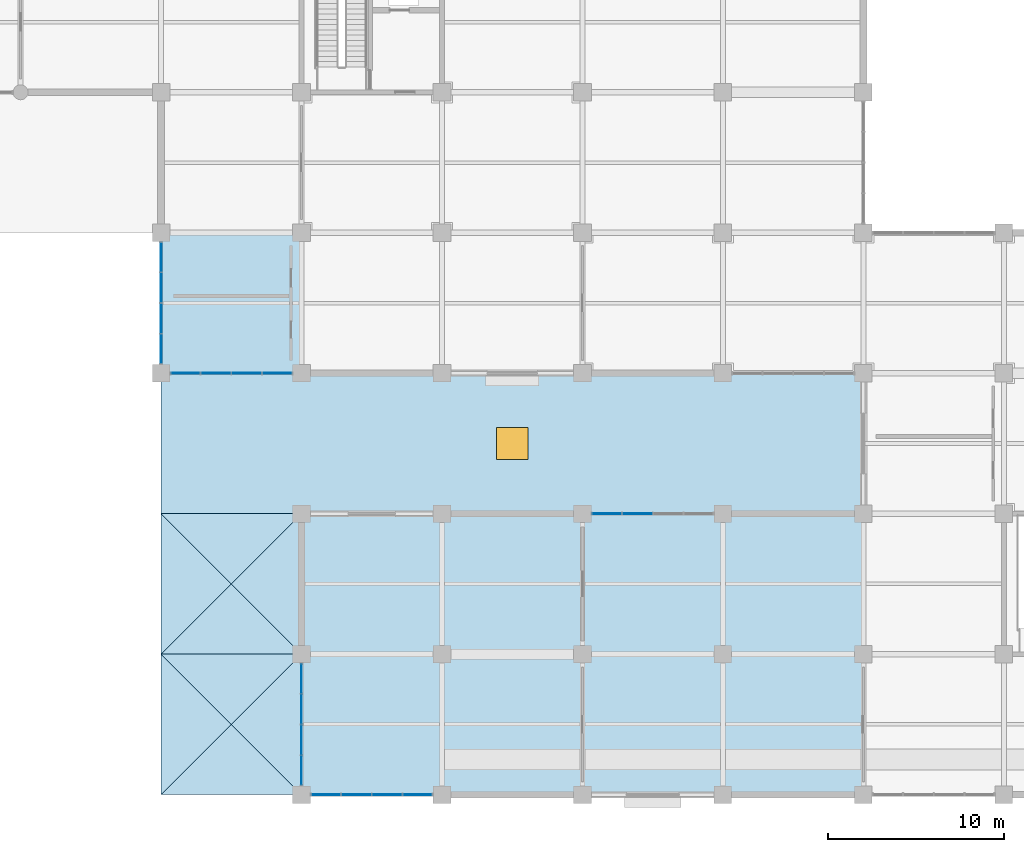
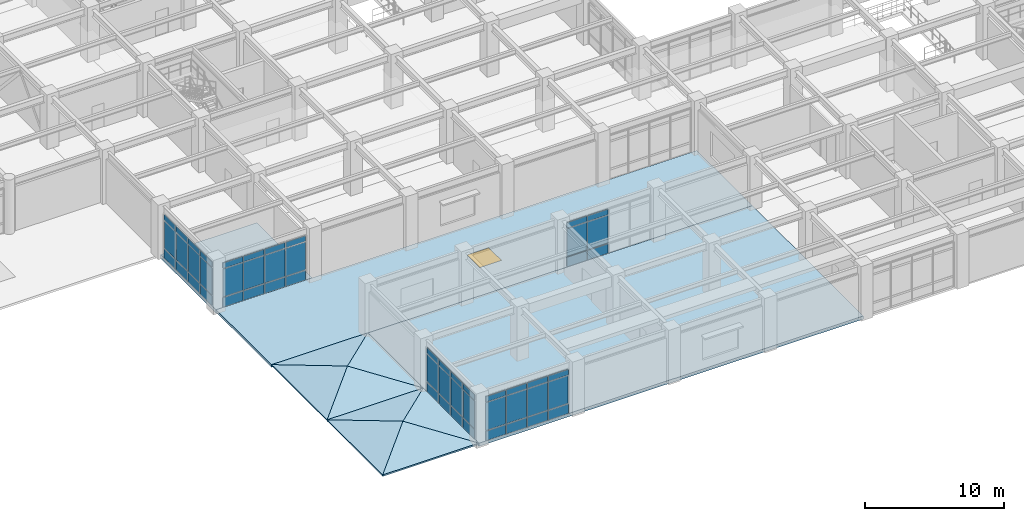
# One storey, part 56 of 117: 54 plates, 11 slabs, 1 window, 1 opening, 5 elements without a shape of their own.
"""IFC4 building model written with IfcOpenShell, lengths in metres."""

from ifc_helpers import new_model, si_unit, direction, frame, origin, origin_2d, place, context, subcontext, project, spatial, polyline, rectangle, outline, extrude, material, layer, layer_set, type_object, element, fill, aggregate, save


model = new_model("IFC4")

# Units and contexts
model_context = context("Model", 3, precision=1e-05, world=origin(), true_north=direction((0.0, 1.0)))
body_context = subcontext(model_context, "Body", "Model", "MODEL_VIEW")
ifc_project = project(units=[si_unit("LENGTHUNIT", "METRE"), si_unit("AREAUNIT", "SQUARE_METRE"), si_unit("VOLUMEUNIT", "CUBIC_METRE"), si_unit("PLANEANGLEUNIT", "RADIAN"), si_unit("MASSUNIT", "GRAM", prefix="KILO")], contexts=[model_context])

# Site, building, storey
site_placement = place(None, origin())
site = spatial("IfcSite", under=ifc_project, at=site_placement, CompositionType="ELEMENT")
building_placement = place(site_placement, origin())
building = spatial("IfcBuilding", under=site, at=building_placement, Name="Haebicheon Civic Stadium", CompositionType="ELEMENT")
storey_placement = place(building_placement, frame((0.0, 0.0, 4.800048828125)))
storey = spatial("IfcBuildingStorey", under=building, at=storey_placement, Name="L02", CompositionType="ELEMENT", Elevation=4.800048828125)

# Curtain wall, plates
ifc_material_1 = material(Name="Anodised aluminium and laminated glass", Category="aluminium")
ifc_layer_1 = layer(ifc_material_1, 0.179931640625, Name="Anodised aluminium and laminated glass")
ifc_layer_set_1 = layer_set([ifc_layer_1], Name="Anodised aluminium and laminated glass")
curtain_wall_type_1 = type_object("IfcCurtainWallType", Name="CW-7000x3950", PredefinedType="NOTDEFINED", material=ifc_layer_set_1)
curtain_wall_1_placement = place(storey_placement, origin())
curtain_wall_1 = element("IfcCurtainWall", 1, at=curtain_wall_1_placement, inside=storey, type_object=curtain_wall_type_1, material=ifc_layer_set_1, Name="L02 unitised curtain wall 035", PredefinedType="NOTDEFINED")
ifc_material_2 = material(Name="Double low-e laminated glass", Category="glass")
ifc_layer_2 = layer(ifc_material_2, 0.028076171875, Name="Double low-e laminated glass")
ifc_layer_set_2 = layer_set([ifc_layer_2], Name="Double low-e laminated glass")
plate_type_1 = type_object("IfcPlateType", Name="CWP-GLZ-28", PredefinedType="CURTAIN_PANEL", material=ifc_layer_set_2)
plate_1_placement = place(storey_placement, frame((25.39208984375, 24.0, 0.93505859375), z_axis=(0.0, 0.0, 1.0), x_axis=(1.0, 0.0, 0.0)))
plate_1 = element("IfcPlate", 2, at=plate_1_placement, type_object=plate_type_1, material=ifc_layer_set_2, Name="CW-L02-035 vision panel 1.2", PredefinedType="CURTAIN_PANEL", context=body_context, shape_type="SweptSolid", body=[
    extrude(rectangle(XDim=1.64501953125, YDim=0.028076171875, at=origin_2d()), origin(), (0.0, 0.0, 1.0), 2.429931640625),
])
plate_2_placement = place(storey_placement, frame((27.125, 24.0, 0.93505859375), z_axis=(0.0, 0.0, 1.0), x_axis=(1.0, 0.0, 0.0)))
plate_2 = element("IfcPlate", 3, at=plate_2_placement, type_object=plate_type_1, material=ifc_layer_set_2, Name="CW-L02-035 vision panel 2.2", PredefinedType="CURTAIN_PANEL", context=body_context, shape_type="SweptSolid", body=[
    extrude(rectangle(XDim=1.679931640625, YDim=0.028076171875, at=origin_2d()), origin(), (0.0, 0.0, 1.0), 2.429931640625),
])
plate_3_placement = place(storey_placement, frame((28.875, 24.0, 0.93505859375), z_axis=(0.0, 0.0, 1.0), x_axis=(1.0, 0.0, 0.0)))
plate_3 = element("IfcPlate", 4, at=plate_3_placement, type_object=plate_type_1, material=ifc_layer_set_2, Name="CW-L02-035 vision panel 3.2", PredefinedType="CURTAIN_PANEL", context=body_context, shape_type="SweptSolid", body=[
    extrude(rectangle(XDim=1.679931640625, YDim=0.028076171875, at=origin_2d()), origin(), (0.0, 0.0, 1.0), 2.429931640625),
])
plate_4_placement = place(storey_placement, frame((30.60791015625, 24.0, 0.93505859375), z_axis=(0.0, 0.0, 1.0), x_axis=(1.0, 0.0, 0.0)))
plate_4 = element("IfcPlate", 5, at=plate_4_placement, type_object=plate_type_1, material=ifc_layer_set_2, Name="CW-L02-035 vision panel 4.2", PredefinedType="CURTAIN_PANEL", context=body_context, shape_type="SweptSolid", body=[
    extrude(rectangle(XDim=1.64501953125, YDim=0.028076171875, at=origin_2d()), origin(), (0.0, 0.0, 1.0), 2.429931640625),
])

ifc_material_3 = material(Name="Anodised aluminium and laminated glass", Category="aluminium")
ifc_layer_3 = layer(ifc_material_3, 0.179931640625, Name="Anodised aluminium and laminated glass")
ifc_layer_set_3 = layer_set([ifc_layer_3], Name="Anodised aluminium and laminated glass")
curtain_wall_type_2 = type_object("IfcCurtainWallType", Name="CW-7000x3910", PredefinedType="NOTDEFINED", material=ifc_layer_set_3)
curtain_wall_2_placement = place(storey_placement, origin())
curtain_wall_2 = element("IfcCurtainWall", 6, at=curtain_wall_2_placement, inside=storey, type_object=curtain_wall_type_2, material=ifc_layer_set_3, Name="L02 unitised curtain wall 036", PredefinedType="NOTDEFINED")
plate_5_placement = place(storey_placement, frame((24.0, 25.39208984375, 0.93505859375), z_axis=(0.0, 0.0, 1.0), x_axis=(0.0, 1.0, 0.0)))
plate_5 = element("IfcPlate", 7, at=plate_5_placement, type_object=plate_type_1, material=ifc_layer_set_2, Name="CW-L02-036 vision panel 1.2", PredefinedType="CURTAIN_PANEL", context=body_context, shape_type="SweptSolid", body=[
    extrude(rectangle(XDim=1.64501953125, YDim=0.028076171875, at=origin_2d()), origin(), (0.0, 0.0, 1.0), 2.389892578125),
])
plate_6_placement = place(storey_placement, frame((24.0, 27.125, 0.93505859375), z_axis=(0.0, 0.0, 1.0), x_axis=(0.0, 1.0, 0.0)))
plate_6 = element("IfcPlate", 8, at=plate_6_placement, type_object=plate_type_1, material=ifc_layer_set_2, Name="CW-L02-036 vision panel 2.2", PredefinedType="CURTAIN_PANEL", context=body_context, shape_type="SweptSolid", body=[
    extrude(rectangle(XDim=1.679931640625, YDim=0.028076171875, at=origin_2d()), origin(), (0.0, 0.0, 1.0), 2.389892578125),
])
plate_7_placement = place(storey_placement, frame((24.0, 28.875, 0.93505859375), z_axis=(0.0, 0.0, 1.0), x_axis=(0.0, 1.0, 0.0)))
plate_7 = element("IfcPlate", 9, at=plate_7_placement, type_object=plate_type_1, material=ifc_layer_set_2, Name="CW-L02-036 vision panel 3.2", PredefinedType="CURTAIN_PANEL", context=body_context, shape_type="SweptSolid", body=[
    extrude(rectangle(XDim=1.679931640625, YDim=0.028076171875, at=origin_2d()), origin(), (0.0, 0.0, 1.0), 2.389892578125),
])
plate_8_placement = place(storey_placement, frame((24.0, 30.60791015625, 0.93505859375), z_axis=(0.0, 0.0, 1.0), x_axis=(0.0, 1.0, 0.0)))
plate_8 = element("IfcPlate", 10, at=plate_8_placement, type_object=plate_type_1, material=ifc_layer_set_2, Name="CW-L02-036 vision panel 4.2", PredefinedType="CURTAIN_PANEL", context=body_context, shape_type="SweptSolid", body=[
    extrude(rectangle(XDim=1.64501953125, YDim=0.028076171875, at=origin_2d()), origin(), (0.0, 0.0, 1.0), 2.389892578125),
])

curtain_wall_3_placement = place(storey_placement, origin())
curtain_wall_3 = element("IfcCurtainWall", 11, at=curtain_wall_3_placement, inside=storey, type_object=curtain_wall_type_1, material=ifc_layer_set_1, Name="L02 unitised curtain wall 038", PredefinedType="NOTDEFINED")
plate_9_placement = place(storey_placement, frame((33.39208984375, 0.0, 0.93505859375), z_axis=(0.0, 0.0, 1.0), x_axis=(1.0, 0.0, 0.0)))
plate_9 = element("IfcPlate", 12, at=plate_9_placement, type_object=plate_type_1, material=ifc_layer_set_2, Name="CW-L02-038 vision panel 1.2", PredefinedType="CURTAIN_PANEL", context=body_context, shape_type="SweptSolid", body=[
    extrude(rectangle(XDim=1.64501953125, YDim=0.028076171875, at=origin_2d()), origin(), (0.0, 0.0, 1.0), 2.429931640625),
])
plate_10_placement = place(storey_placement, frame((35.125, 0.0, 0.93505859375), z_axis=(0.0, 0.0, 1.0), x_axis=(1.0, 0.0, 0.0)))
plate_10 = element("IfcPlate", 13, at=plate_10_placement, type_object=plate_type_1, material=ifc_layer_set_2, Name="CW-L02-038 vision panel 2.2", PredefinedType="CURTAIN_PANEL", context=body_context, shape_type="SweptSolid", body=[
    extrude(rectangle(XDim=1.679931640625, YDim=0.028076171875, at=origin_2d()), origin(), (0.0, 0.0, 1.0), 2.429931640625),
])
plate_11_placement = place(storey_placement, frame((36.875, 0.0, 0.93505859375), z_axis=(0.0, 0.0, 1.0), x_axis=(1.0, 0.0, 0.0)))
plate_11 = element("IfcPlate", 14, at=plate_11_placement, type_object=plate_type_1, material=ifc_layer_set_2, Name="CW-L02-038 vision panel 3.2", PredefinedType="CURTAIN_PANEL", context=body_context, shape_type="SweptSolid", body=[
    extrude(rectangle(XDim=1.679931640625, YDim=0.028076171875, at=origin_2d()), origin(), (0.0, 0.0, 1.0), 2.429931640625),
])
plate_12_placement = place(storey_placement, frame((38.60791015625, 0.0, 0.93505859375), z_axis=(0.0, 0.0, 1.0), x_axis=(1.0, 0.0, 0.0)))
plate_12 = element("IfcPlate", 15, at=plate_12_placement, type_object=plate_type_1, material=ifc_layer_set_2, Name="CW-L02-038 vision panel 4.2", PredefinedType="CURTAIN_PANEL", context=body_context, shape_type="SweptSolid", body=[
    extrude(rectangle(XDim=1.64501953125, YDim=0.028076171875, at=origin_2d()), origin(), (0.0, 0.0, 1.0), 2.429931640625),
])

curtain_wall_4_placement = place(storey_placement, origin())
curtain_wall_4 = element("IfcCurtainWall", 16, at=curtain_wall_4_placement, inside=storey, type_object=curtain_wall_type_1, material=ifc_layer_set_1, Name="L02 unitised curtain wall 039", PredefinedType="NOTDEFINED")
plate_13_placement = place(storey_placement, frame((32.0, 1.39208984375, 0.93505859375), z_axis=(0.0, 0.0, 1.0), x_axis=(0.0, 1.0, 0.0)))
plate_13 = element("IfcPlate", 17, at=plate_13_placement, type_object=plate_type_1, material=ifc_layer_set_2, Name="CW-L02-039 vision panel 1.2", PredefinedType="CURTAIN_PANEL", context=body_context, shape_type="SweptSolid", body=[
    extrude(rectangle(XDim=1.64501953125, YDim=0.028076171875, at=origin_2d()), origin(), (0.0, 0.0, 1.0), 2.429931640625),
])
plate_14_placement = place(storey_placement, frame((32.0, 3.125, 0.93505859375), z_axis=(0.0, 0.0, 1.0), x_axis=(0.0, 1.0, 0.0)))
plate_14 = element("IfcPlate", 18, at=plate_14_placement, type_object=plate_type_1, material=ifc_layer_set_2, Name="CW-L02-039 vision panel 2.2", PredefinedType="CURTAIN_PANEL", context=body_context, shape_type="SweptSolid", body=[
    extrude(rectangle(XDim=1.679931640625, YDim=0.028076171875, at=origin_2d()), origin(), (0.0, 0.0, 1.0), 2.429931640625),
])
plate_15_placement = place(storey_placement, frame((32.0, 4.875, 0.93505859375), z_axis=(0.0, 0.0, 1.0), x_axis=(0.0, 1.0, 0.0)))
plate_15 = element("IfcPlate", 19, at=plate_15_placement, type_object=plate_type_1, material=ifc_layer_set_2, Name="CW-L02-039 vision panel 3.2", PredefinedType="CURTAIN_PANEL", context=body_context, shape_type="SweptSolid", body=[
    extrude(rectangle(XDim=1.679931640625, YDim=0.028076171875, at=origin_2d()), origin(), (0.0, 0.0, 1.0), 2.429931640625),
])
plate_16_placement = place(storey_placement, frame((32.0, 6.60791015625, 0.93505859375), z_axis=(0.0, 0.0, 1.0), x_axis=(0.0, 1.0, 0.0)))
plate_16 = element("IfcPlate", 20, at=plate_16_placement, type_object=plate_type_1, material=ifc_layer_set_2, Name="CW-L02-039 vision panel 4.2", PredefinedType="CURTAIN_PANEL", context=body_context, shape_type="SweptSolid", body=[
    extrude(rectangle(XDim=1.64501953125, YDim=0.028076171875, at=origin_2d()), origin(), (0.0, 0.0, 1.0), 2.429931640625),
])

curtain_wall_5_placement = place(storey_placement, origin())
curtain_wall_5 = element("IfcCurtainWall", 21, at=curtain_wall_5_placement, inside=storey, type_object=curtain_wall_type_1, material=ifc_layer_set_1, Name="L02 unitised curtain wall 041", PredefinedType="NOTDEFINED")
plate_17_placement = place(storey_placement, frame((49.39208984375, 16.0, 0.93505859375), z_axis=(0.0, 0.0, 1.0), x_axis=(1.0, 0.0, 0.0)))
plate_17 = element("IfcPlate", 22, at=plate_17_placement, type_object=plate_type_1, material=ifc_layer_set_2, Name="CW-L02-041 vision panel 1.2", PredefinedType="CURTAIN_PANEL", context=body_context, shape_type="SweptSolid", body=[
    extrude(rectangle(XDim=1.64501953125, YDim=0.028076171875, at=origin_2d()), origin(), (0.0, 0.0, 1.0), 2.429931640625),
])
plate_18_placement = place(storey_placement, frame((51.125, 16.0, 0.93505859375), z_axis=(0.0, 0.0, 1.0), x_axis=(1.0, 0.0, 0.0)))
plate_18 = element("IfcPlate", 23, at=plate_18_placement, type_object=plate_type_1, material=ifc_layer_set_2, Name="CW-L02-041 vision panel 2.2", PredefinedType="CURTAIN_PANEL", context=body_context, shape_type="SweptSolid", body=[
    extrude(rectangle(XDim=1.679931640625, YDim=0.028076171875, at=origin_2d()), origin(), (0.0, 0.0, 1.0), 2.429931640625),
])

# Plate
ifc_material_4 = material(Name="Anodised aluminium 6063-T6", Category="aluminium")
ifc_layer_4 = layer(ifc_material_4, 0.053955078125, Name="Anodised aluminium 6063-T6")
ifc_layer_set_4 = layer_set([ifc_layer_4], Name="Anodised aluminium 6063-T6")
plate_type_2 = type_object("IfcPlateType", Name="CWP-SPD-54", PredefinedType="CURTAIN_PANEL", material=ifc_layer_set_4)
plate_19_placement = place(storey_placement, frame((25.39208984375, 24.0, 0.034912109375), z_axis=(0.0, 0.0, 1.0), x_axis=(1.0, 0.0, 0.0)))
plate_19 = element("IfcPlate", 24, at=plate_19_placement, type_object=plate_type_2, material=ifc_layer_set_4, Name="CW-L02-035 spandrel panel 1.1", PredefinedType="CURTAIN_PANEL", context=body_context, shape_type="SweptSolid", body=[
    extrude(rectangle(XDim=1.64501953125, YDim=0.053955078125, at=origin_2d()), origin(), (0.0, 0.0, 1.0), 0.830078125),
])

plate_20_placement = place(storey_placement, frame((25.39208984375, 24.0, 3.43505859375), z_axis=(0.0, 0.0, 1.0), x_axis=(1.0, 0.0, 0.0)))
plate_20 = element("IfcPlate", 25, at=plate_20_placement, type_object=plate_type_2, material=ifc_layer_set_4, Name="CW-L02-035 spandrel panel 1.3", PredefinedType="CURTAIN_PANEL", context=body_context, shape_type="SweptSolid", body=[
    extrude(rectangle(XDim=1.64501953125, YDim=0.053955078125, at=origin_2d()), origin(), (0.0, 0.0, 1.0), 0.47998046875),
])

plate_21_placement = place(storey_placement, frame((27.125, 24.0, 0.034912109375), z_axis=(0.0, 0.0, 1.0), x_axis=(1.0, 0.0, 0.0)))
plate_21 = element("IfcPlate", 26, at=plate_21_placement, type_object=plate_type_2, material=ifc_layer_set_4, Name="CW-L02-035 spandrel panel 2.1", PredefinedType="CURTAIN_PANEL", context=body_context, shape_type="SweptSolid", body=[
    extrude(rectangle(XDim=1.679931640625, YDim=0.053955078125, at=origin_2d()), origin(), (0.0, 0.0, 1.0), 0.830078125),
])

plate_22_placement = place(storey_placement, frame((27.125, 24.0, 3.43505859375), z_axis=(0.0, 0.0, 1.0), x_axis=(1.0, 0.0, 0.0)))
plate_22 = element("IfcPlate", 27, at=plate_22_placement, type_object=plate_type_2, material=ifc_layer_set_4, Name="CW-L02-035 spandrel panel 2.3", PredefinedType="CURTAIN_PANEL", context=body_context, shape_type="SweptSolid", body=[
    extrude(rectangle(XDim=1.679931640625, YDim=0.053955078125, at=origin_2d()), origin(), (0.0, 0.0, 1.0), 0.47998046875),
])

plate_23_placement = place(storey_placement, frame((28.875, 24.0, 0.034912109375), z_axis=(0.0, 0.0, 1.0), x_axis=(1.0, 0.0, 0.0)))
plate_23 = element("IfcPlate", 28, at=plate_23_placement, type_object=plate_type_2, material=ifc_layer_set_4, Name="CW-L02-035 spandrel panel 3.1", PredefinedType="CURTAIN_PANEL", context=body_context, shape_type="SweptSolid", body=[
    extrude(rectangle(XDim=1.679931640625, YDim=0.053955078125, at=origin_2d()), origin(), (0.0, 0.0, 1.0), 0.830078125),
])

plate_24_placement = place(storey_placement, frame((28.875, 24.0, 3.43505859375), z_axis=(0.0, 0.0, 1.0), x_axis=(1.0, 0.0, 0.0)))
plate_24 = element("IfcPlate", 29, at=plate_24_placement, type_object=plate_type_2, material=ifc_layer_set_4, Name="CW-L02-035 spandrel panel 3.3", PredefinedType="CURTAIN_PANEL", context=body_context, shape_type="SweptSolid", body=[
    extrude(rectangle(XDim=1.679931640625, YDim=0.053955078125, at=origin_2d()), origin(), (0.0, 0.0, 1.0), 0.47998046875),
])

plate_25_placement = place(storey_placement, frame((30.60791015625, 24.0, 0.034912109375), z_axis=(0.0, 0.0, 1.0), x_axis=(1.0, 0.0, 0.0)))
plate_25 = element("IfcPlate", 30, at=plate_25_placement, type_object=plate_type_2, material=ifc_layer_set_4, Name="CW-L02-035 spandrel panel 4.1", PredefinedType="CURTAIN_PANEL", context=body_context, shape_type="SweptSolid", body=[
    extrude(rectangle(XDim=1.64501953125, YDim=0.053955078125, at=origin_2d()), origin(), (0.0, 0.0, 1.0), 0.830078125),
])

plate_26_placement = place(storey_placement, frame((30.60791015625, 24.0, 3.43505859375), z_axis=(0.0, 0.0, 1.0), x_axis=(1.0, 0.0, 0.0)))
plate_26 = element("IfcPlate", 31, at=plate_26_placement, type_object=plate_type_2, material=ifc_layer_set_4, Name="CW-L02-035 spandrel panel 4.3", PredefinedType="CURTAIN_PANEL", context=body_context, shape_type="SweptSolid", body=[
    extrude(rectangle(XDim=1.64501953125, YDim=0.053955078125, at=origin_2d()), origin(), (0.0, 0.0, 1.0), 0.47998046875),
])

aggregate(curtain_wall_1, [plate_19, plate_1, plate_20, plate_21, plate_2, plate_22, plate_23, plate_3, plate_24, plate_25, plate_4, plate_26])

plate_27_placement = place(storey_placement, frame((24.0, 25.39208984375, 0.034912109375), z_axis=(0.0, 0.0, 1.0), x_axis=(0.0, 1.0, 0.0)))
plate_27 = element("IfcPlate", 32, at=plate_27_placement, type_object=plate_type_2, material=ifc_layer_set_4, Name="CW-L02-036 spandrel panel 1.1", PredefinedType="CURTAIN_PANEL", context=body_context, shape_type="SweptSolid", body=[
    extrude(rectangle(XDim=1.64501953125, YDim=0.053955078125, at=origin_2d()), origin(), (0.0, 0.0, 1.0), 0.830078125),
])

plate_28_placement = place(storey_placement, frame((24.0, 25.39208984375, 3.39501953125), z_axis=(0.0, 0.0, 1.0), x_axis=(0.0, 1.0, 0.0)))
plate_28 = element("IfcPlate", 33, at=plate_28_placement, type_object=plate_type_2, material=ifc_layer_set_4, Name="CW-L02-036 spandrel panel 1.3", PredefinedType="CURTAIN_PANEL", context=body_context, shape_type="SweptSolid", body=[
    extrude(rectangle(XDim=1.64501953125, YDim=0.053955078125, at=origin_2d()), origin(), (0.0, 0.0, 1.0), 0.47998046875),
])

plate_29_placement = place(storey_placement, frame((24.0, 27.125, 0.034912109375), z_axis=(0.0, 0.0, 1.0), x_axis=(0.0, 1.0, 0.0)))
plate_29 = element("IfcPlate", 34, at=plate_29_placement, type_object=plate_type_2, material=ifc_layer_set_4, Name="CW-L02-036 spandrel panel 2.1", PredefinedType="CURTAIN_PANEL", context=body_context, shape_type="SweptSolid", body=[
    extrude(rectangle(XDim=1.679931640625, YDim=0.053955078125, at=origin_2d()), origin(), (0.0, 0.0, 1.0), 0.830078125),
])

plate_30_placement = place(storey_placement, frame((24.0, 27.125, 3.39501953125), z_axis=(0.0, 0.0, 1.0), x_axis=(0.0, 1.0, 0.0)))
plate_30 = element("IfcPlate", 35, at=plate_30_placement, type_object=plate_type_2, material=ifc_layer_set_4, Name="CW-L02-036 spandrel panel 2.3", PredefinedType="CURTAIN_PANEL", context=body_context, shape_type="SweptSolid", body=[
    extrude(rectangle(XDim=1.679931640625, YDim=0.053955078125, at=origin_2d()), origin(), (0.0, 0.0, 1.0), 0.47998046875),
])

plate_31_placement = place(storey_placement, frame((24.0, 28.875, 0.034912109375), z_axis=(0.0, 0.0, 1.0), x_axis=(0.0, 1.0, 0.0)))
plate_31 = element("IfcPlate", 36, at=plate_31_placement, type_object=plate_type_2, material=ifc_layer_set_4, Name="CW-L02-036 spandrel panel 3.1", PredefinedType="CURTAIN_PANEL", context=body_context, shape_type="SweptSolid", body=[
    extrude(rectangle(XDim=1.679931640625, YDim=0.053955078125, at=origin_2d()), origin(), (0.0, 0.0, 1.0), 0.830078125),
])

plate_32_placement = place(storey_placement, frame((24.0, 28.875, 3.39501953125), z_axis=(0.0, 0.0, 1.0), x_axis=(0.0, 1.0, 0.0)))
plate_32 = element("IfcPlate", 37, at=plate_32_placement, type_object=plate_type_2, material=ifc_layer_set_4, Name="CW-L02-036 spandrel panel 3.3", PredefinedType="CURTAIN_PANEL", context=body_context, shape_type="SweptSolid", body=[
    extrude(rectangle(XDim=1.679931640625, YDim=0.053955078125, at=origin_2d()), origin(), (0.0, 0.0, 1.0), 0.47998046875),
])

plate_33_placement = place(storey_placement, frame((24.0, 30.60791015625, 0.034912109375), z_axis=(0.0, 0.0, 1.0), x_axis=(0.0, 1.0, 0.0)))
plate_33 = element("IfcPlate", 38, at=plate_33_placement, type_object=plate_type_2, material=ifc_layer_set_4, Name="CW-L02-036 spandrel panel 4.1", PredefinedType="CURTAIN_PANEL", context=body_context, shape_type="SweptSolid", body=[
    extrude(rectangle(XDim=1.64501953125, YDim=0.053955078125, at=origin_2d()), origin(), (0.0, 0.0, 1.0), 0.830078125),
])

plate_34_placement = place(storey_placement, frame((24.0, 30.60791015625, 3.39501953125), z_axis=(0.0, 0.0, 1.0), x_axis=(0.0, 1.0, 0.0)))
plate_34 = element("IfcPlate", 39, at=plate_34_placement, type_object=plate_type_2, material=ifc_layer_set_4, Name="CW-L02-036 spandrel panel 4.3", PredefinedType="CURTAIN_PANEL", context=body_context, shape_type="SweptSolid", body=[
    extrude(rectangle(XDim=1.64501953125, YDim=0.053955078125, at=origin_2d()), origin(), (0.0, 0.0, 1.0), 0.47998046875),
])

aggregate(curtain_wall_2, [plate_27, plate_5, plate_28, plate_29, plate_6, plate_30, plate_31, plate_7, plate_32, plate_33, plate_8, plate_34])

plate_35_placement = place(storey_placement, frame((33.39208984375, 0.0, 0.034912109375), z_axis=(0.0, 0.0, 1.0), x_axis=(1.0, 0.0, 0.0)))
plate_35 = element("IfcPlate", 40, at=plate_35_placement, type_object=plate_type_2, material=ifc_layer_set_4, Name="CW-L02-038 spandrel panel 1.1", PredefinedType="CURTAIN_PANEL", context=body_context, shape_type="SweptSolid", body=[
    extrude(rectangle(XDim=1.64501953125, YDim=0.053955078125, at=origin_2d()), origin(), (0.0, 0.0, 1.0), 0.830078125),
])

plate_36_placement = place(storey_placement, frame((33.39208984375, 0.0, 3.43505859375), z_axis=(0.0, 0.0, 1.0), x_axis=(1.0, 0.0, 0.0)))
plate_36 = element("IfcPlate", 41, at=plate_36_placement, type_object=plate_type_2, material=ifc_layer_set_4, Name="CW-L02-038 spandrel panel 1.3", PredefinedType="CURTAIN_PANEL", context=body_context, shape_type="SweptSolid", body=[
    extrude(rectangle(XDim=1.64501953125, YDim=0.053955078125, at=origin_2d()), origin(), (0.0, 0.0, 1.0), 0.47998046875),
])

plate_37_placement = place(storey_placement, frame((35.125, 0.0, 0.034912109375), z_axis=(0.0, 0.0, 1.0), x_axis=(1.0, 0.0, 0.0)))
plate_37 = element("IfcPlate", 42, at=plate_37_placement, type_object=plate_type_2, material=ifc_layer_set_4, Name="CW-L02-038 spandrel panel 2.1", PredefinedType="CURTAIN_PANEL", context=body_context, shape_type="SweptSolid", body=[
    extrude(rectangle(XDim=1.679931640625, YDim=0.053955078125, at=origin_2d()), origin(), (0.0, 0.0, 1.0), 0.830078125),
])

plate_38_placement = place(storey_placement, frame((35.125, 0.0, 3.43505859375), z_axis=(0.0, 0.0, 1.0), x_axis=(1.0, 0.0, 0.0)))
plate_38 = element("IfcPlate", 43, at=plate_38_placement, type_object=plate_type_2, material=ifc_layer_set_4, Name="CW-L02-038 spandrel panel 2.3", PredefinedType="CURTAIN_PANEL", context=body_context, shape_type="SweptSolid", body=[
    extrude(rectangle(XDim=1.679931640625, YDim=0.053955078125, at=origin_2d()), origin(), (0.0, 0.0, 1.0), 0.47998046875),
])

plate_39_placement = place(storey_placement, frame((36.875, 0.0, 0.034912109375), z_axis=(0.0, 0.0, 1.0), x_axis=(1.0, 0.0, 0.0)))
plate_39 = element("IfcPlate", 44, at=plate_39_placement, type_object=plate_type_2, material=ifc_layer_set_4, Name="CW-L02-038 spandrel panel 3.1", PredefinedType="CURTAIN_PANEL", context=body_context, shape_type="SweptSolid", body=[
    extrude(rectangle(XDim=1.679931640625, YDim=0.053955078125, at=origin_2d()), origin(), (0.0, 0.0, 1.0), 0.830078125),
])

plate_40_placement = place(storey_placement, frame((36.875, 0.0, 3.43505859375), z_axis=(0.0, 0.0, 1.0), x_axis=(1.0, 0.0, 0.0)))
plate_40 = element("IfcPlate", 45, at=plate_40_placement, type_object=plate_type_2, material=ifc_layer_set_4, Name="CW-L02-038 spandrel panel 3.3", PredefinedType="CURTAIN_PANEL", context=body_context, shape_type="SweptSolid", body=[
    extrude(rectangle(XDim=1.679931640625, YDim=0.053955078125, at=origin_2d()), origin(), (0.0, 0.0, 1.0), 0.47998046875),
])

plate_41_placement = place(storey_placement, frame((38.60791015625, 0.0, 0.034912109375), z_axis=(0.0, 0.0, 1.0), x_axis=(1.0, 0.0, 0.0)))
plate_41 = element("IfcPlate", 46, at=plate_41_placement, type_object=plate_type_2, material=ifc_layer_set_4, Name="CW-L02-038 spandrel panel 4.1", PredefinedType="CURTAIN_PANEL", context=body_context, shape_type="SweptSolid", body=[
    extrude(rectangle(XDim=1.64501953125, YDim=0.053955078125, at=origin_2d()), origin(), (0.0, 0.0, 1.0), 0.830078125),
])

plate_42_placement = place(storey_placement, frame((38.60791015625, 0.0, 3.43505859375), z_axis=(0.0, 0.0, 1.0), x_axis=(1.0, 0.0, 0.0)))
plate_42 = element("IfcPlate", 47, at=plate_42_placement, type_object=plate_type_2, material=ifc_layer_set_4, Name="CW-L02-038 spandrel panel 4.3", PredefinedType="CURTAIN_PANEL", context=body_context, shape_type="SweptSolid", body=[
    extrude(rectangle(XDim=1.64501953125, YDim=0.053955078125, at=origin_2d()), origin(), (0.0, 0.0, 1.0), 0.47998046875),
])

aggregate(curtain_wall_3, [plate_35, plate_9, plate_36, plate_37, plate_10, plate_38, plate_39, plate_11, plate_40, plate_41, plate_12, plate_42])

plate_43_placement = place(storey_placement, frame((32.0, 1.39208984375, 0.034912109375), z_axis=(0.0, 0.0, 1.0), x_axis=(0.0, 1.0, 0.0)))
plate_43 = element("IfcPlate", 48, at=plate_43_placement, type_object=plate_type_2, material=ifc_layer_set_4, Name="CW-L02-039 spandrel panel 1.1", PredefinedType="CURTAIN_PANEL", context=body_context, shape_type="SweptSolid", body=[
    extrude(rectangle(XDim=1.64501953125, YDim=0.053955078125, at=origin_2d()), origin(), (0.0, 0.0, 1.0), 0.830078125),
])

plate_44_placement = place(storey_placement, frame((32.0, 1.39208984375, 3.43505859375), z_axis=(0.0, 0.0, 1.0), x_axis=(0.0, 1.0, 0.0)))
plate_44 = element("IfcPlate", 49, at=plate_44_placement, type_object=plate_type_2, material=ifc_layer_set_4, Name="CW-L02-039 spandrel panel 1.3", PredefinedType="CURTAIN_PANEL", context=body_context, shape_type="SweptSolid", body=[
    extrude(rectangle(XDim=1.64501953125, YDim=0.053955078125, at=origin_2d()), origin(), (0.0, 0.0, 1.0), 0.47998046875),
])

plate_45_placement = place(storey_placement, frame((32.0, 3.125, 0.034912109375), z_axis=(0.0, 0.0, 1.0), x_axis=(0.0, 1.0, 0.0)))
plate_45 = element("IfcPlate", 50, at=plate_45_placement, type_object=plate_type_2, material=ifc_layer_set_4, Name="CW-L02-039 spandrel panel 2.1", PredefinedType="CURTAIN_PANEL", context=body_context, shape_type="SweptSolid", body=[
    extrude(rectangle(XDim=1.679931640625, YDim=0.053955078125, at=origin_2d()), origin(), (0.0, 0.0, 1.0), 0.830078125),
])

plate_46_placement = place(storey_placement, frame((32.0, 3.125, 3.43505859375), z_axis=(0.0, 0.0, 1.0), x_axis=(0.0, 1.0, 0.0)))
plate_46 = element("IfcPlate", 51, at=plate_46_placement, type_object=plate_type_2, material=ifc_layer_set_4, Name="CW-L02-039 spandrel panel 2.3", PredefinedType="CURTAIN_PANEL", context=body_context, shape_type="SweptSolid", body=[
    extrude(rectangle(XDim=1.679931640625, YDim=0.053955078125, at=origin_2d()), origin(), (0.0, 0.0, 1.0), 0.47998046875),
])

plate_47_placement = place(storey_placement, frame((32.0, 4.875, 0.034912109375), z_axis=(0.0, 0.0, 1.0), x_axis=(0.0, 1.0, 0.0)))
plate_47 = element("IfcPlate", 52, at=plate_47_placement, type_object=plate_type_2, material=ifc_layer_set_4, Name="CW-L02-039 spandrel panel 3.1", PredefinedType="CURTAIN_PANEL", context=body_context, shape_type="SweptSolid", body=[
    extrude(rectangle(XDim=1.679931640625, YDim=0.053955078125, at=origin_2d()), origin(), (0.0, 0.0, 1.0), 0.830078125),
])

plate_48_placement = place(storey_placement, frame((32.0, 4.875, 3.43505859375), z_axis=(0.0, 0.0, 1.0), x_axis=(0.0, 1.0, 0.0)))
plate_48 = element("IfcPlate", 53, at=plate_48_placement, type_object=plate_type_2, material=ifc_layer_set_4, Name="CW-L02-039 spandrel panel 3.3", PredefinedType="CURTAIN_PANEL", context=body_context, shape_type="SweptSolid", body=[
    extrude(rectangle(XDim=1.679931640625, YDim=0.053955078125, at=origin_2d()), origin(), (0.0, 0.0, 1.0), 0.47998046875),
])

plate_49_placement = place(storey_placement, frame((32.0, 6.60791015625, 0.034912109375), z_axis=(0.0, 0.0, 1.0), x_axis=(0.0, 1.0, 0.0)))
plate_49 = element("IfcPlate", 54, at=plate_49_placement, type_object=plate_type_2, material=ifc_layer_set_4, Name="CW-L02-039 spandrel panel 4.1", PredefinedType="CURTAIN_PANEL", context=body_context, shape_type="SweptSolid", body=[
    extrude(rectangle(XDim=1.64501953125, YDim=0.053955078125, at=origin_2d()), origin(), (0.0, 0.0, 1.0), 0.830078125),
])

plate_50_placement = place(storey_placement, frame((32.0, 6.60791015625, 3.43505859375), z_axis=(0.0, 0.0, 1.0), x_axis=(0.0, 1.0, 0.0)))
plate_50 = element("IfcPlate", 55, at=plate_50_placement, type_object=plate_type_2, material=ifc_layer_set_4, Name="CW-L02-039 spandrel panel 4.3", PredefinedType="CURTAIN_PANEL", context=body_context, shape_type="SweptSolid", body=[
    extrude(rectangle(XDim=1.64501953125, YDim=0.053955078125, at=origin_2d()), origin(), (0.0, 0.0, 1.0), 0.47998046875),
])

aggregate(curtain_wall_4, [plate_43, plate_13, plate_44, plate_45, plate_14, plate_46, plate_47, plate_15, plate_48, plate_49, plate_16, plate_50])

plate_51_placement = place(storey_placement, frame((49.39208984375, 16.0, 0.034912109375), z_axis=(0.0, 0.0, 1.0), x_axis=(1.0, 0.0, 0.0)))
plate_51 = element("IfcPlate", 56, at=plate_51_placement, type_object=plate_type_2, material=ifc_layer_set_4, Name="CW-L02-041 spandrel panel 1.1", PredefinedType="CURTAIN_PANEL", context=body_context, shape_type="SweptSolid", body=[
    extrude(rectangle(XDim=1.64501953125, YDim=0.053955078125, at=origin_2d()), origin(), (0.0, 0.0, 1.0), 0.830078125),
])

plate_52_placement = place(storey_placement, frame((49.39208984375, 16.0, 3.43505859375), z_axis=(0.0, 0.0, 1.0), x_axis=(1.0, 0.0, 0.0)))
plate_52 = element("IfcPlate", 57, at=plate_52_placement, type_object=plate_type_2, material=ifc_layer_set_4, Name="CW-L02-041 spandrel panel 1.3", PredefinedType="CURTAIN_PANEL", context=body_context, shape_type="SweptSolid", body=[
    extrude(rectangle(XDim=1.64501953125, YDim=0.053955078125, at=origin_2d()), origin(), (0.0, 0.0, 1.0), 0.47998046875),
])

plate_53_placement = place(storey_placement, frame((51.125, 16.0, 0.034912109375), z_axis=(0.0, 0.0, 1.0), x_axis=(1.0, 0.0, 0.0)))
plate_53 = element("IfcPlate", 58, at=plate_53_placement, type_object=plate_type_2, material=ifc_layer_set_4, Name="CW-L02-041 spandrel panel 2.1", PredefinedType="CURTAIN_PANEL", context=body_context, shape_type="SweptSolid", body=[
    extrude(rectangle(XDim=1.679931640625, YDim=0.053955078125, at=origin_2d()), origin(), (0.0, 0.0, 1.0), 0.830078125),
])

plate_54_placement = place(storey_placement, frame((51.125, 16.0, 3.43505859375), z_axis=(0.0, 0.0, 1.0), x_axis=(1.0, 0.0, 0.0)))
plate_54 = element("IfcPlate", 59, at=plate_54_placement, type_object=plate_type_2, material=ifc_layer_set_4, Name="CW-L02-041 spandrel panel 2.3", PredefinedType="CURTAIN_PANEL", context=body_context, shape_type="SweptSolid", body=[
    extrude(rectangle(XDim=1.679931640625, YDim=0.053955078125, at=origin_2d()), origin(), (0.0, 0.0, 1.0), 0.47998046875),
])

aggregate(curtain_wall_5, [plate_51, plate_17, plate_52, plate_53, plate_18, plate_54])

# Slabs
ifc_material_5 = material(Name="Concrete C40/50", Category="concrete")
ifc_layer_5 = layer(ifc_material_5, 0.280029296875, Name="Concrete C40/50")
ifc_layer_set_5 = layer_set([ifc_layer_5], Name="Concrete C40/50")
slab_type_1 = type_object("IfcSlabType", Name="SLB-FLR-280", PredefinedType="FLOOR", material=ifc_layer_set_5)
slab_1_placement = place(storey_placement, frame((0.0, 0.0, -0.280029296875)))
element("IfcSlab", 60, at=slab_1_placement, inside=storey, type_object=slab_type_1, material=ifc_layer_set_5, Name="L02 V6 structural slab 1.1", PredefinedType="FLOOR", context=body_context, shape_type="SweptSolid", body=[
    extrude(outline(polyline([(64.0, 0.0), (56.0, 0.0), (48.0, 0.0), (40.0, 0.0), (32.0, 0.0), (32.0, 8.0), (32.0, 16.0), (40.0, 16.0), (48.0, 16.0), (56.0, 16.0), (64.0, 16.0), (64.0, 8.0), (64.0, 0.0)])), origin(), (0.0, 0.0, 1.0), 0.280029296875),
])
ifc_material_6 = material(Name="Concrete C40/50", Category="concrete")
ifc_layer_6 = layer(ifc_material_6, 0.320068359375, Name="Concrete C40/50")
ifc_layer_set_6 = layer_set([ifc_layer_6], Name="Concrete C40/50")
slab_type_2 = type_object("IfcSlabType", Name="SLB-FLR-320", PredefinedType="FLOOR", material=ifc_layer_set_6)
slab_2_placement = place(storey_placement, frame((0.0, 0.0, -0.320068359375)))
element("IfcSlab", 61, at=slab_2_placement, inside=storey, type_object=slab_type_2, material=ifc_layer_set_6, Name="L02 V1 structural slab 1.1", PredefinedType="FLOOR", context=body_context, shape_type="SweptSolid", body=[
    extrude(outline(polyline([(32.0, 24.0), (24.0, 24.0), (24.0, 32.0), (32.0, 32.0), (32.0, 24.0)])), origin(), (0.0, 0.0, 1.0), 0.320068359375),
])
ifc_material_7 = material(Name="Precast concrete C40/50", Category="concrete")
ifc_layer_7 = layer(ifc_material_7, 0.169921875, Name="Precast concrete C40/50")
ifc_layer_set_7 = layer_set([ifc_layer_7], Name="Precast concrete C40/50")
slab_type_3 = type_object("IfcSlabType", Name="SLB-ROOF-170", PredefinedType="ROOF", material=ifc_layer_set_7)
for number, where, z_axis, x_axis, name in (
    (62, (24.0, 0.0, 0.02001953125), (0.0, -0.21948952406, 0.97561485681), (1.0, 0.0, 0.0), "L02 V6 folded shell roof facet 1.S"),
    (63, (32.0, 0.0, 0.02001953125), (0.21948952406, 0.0, 0.97561485681), (0.0, 1.0, 0.0), "L02 V6 folded shell roof facet 1.E"),
    (64, (32.0, 8.0, 0.02001953125), (0.0, 0.21948952406, 0.97561485681), (-1.0, 0.0, 0.0), "L02 V6 folded shell roof facet 1.N"),
    (65, (24.0, 8.0, 0.02001953125), (-0.21948952406, 0.0, 0.97561485681), (0.0, -1.0, 0.0), "L02 V6 folded shell roof facet 1.W"),
    (66, (24.0, 8.0, 0.02001953125), (0.0, -0.21948952406, 0.97561485681), (1.0, 0.0, 0.0), "L02 V6 folded shell roof facet 2.S"),
    (67, (32.0, 8.0, 0.02001953125), (0.21948952406, 0.0, 0.97561485681), (0.0, 1.0, 0.0), "L02 V6 folded shell roof facet 2.E"),
    (68, (32.0, 16.0, 0.02001953125), (0.0, 0.21948952406, 0.97561485681), (-1.0, 0.0, 0.0), "L02 V6 folded shell roof facet 2.N"),
    (69, (24.0, 16.0, 0.02001953125), (-0.21948952406, 0.0, 0.97561485681), (0.0, -1.0, 0.0), "L02 V6 folded shell roof facet 2.W"),
):
    element("IfcSlab", number, at=place(storey_placement, frame(where, z_axis=z_axis, x_axis=x_axis)), inside=storey, type_object=slab_type_3, material=ifc_layer_set_7, Name=name, PredefinedType="ROOF", context=body_context, shape_type="SweptSolid", body=[
        extrude(outline(polyline([(0.0, 0.0), (8.0, 0.0), (4.0, 4.099978564369178), (0.0, 0.0)])), origin(), (0.0, 0.0, -1.0), 0.169921875),
    ])

# Slab, opening, window
ifc_material_8 = material(Name="Concrete C40/50", Category="concrete")
ifc_layer_8 = layer(ifc_material_8, 0.219970703125, Name="Concrete C40/50")
ifc_layer_set_8 = layer_set([ifc_layer_8], Name="Concrete C40/50")
slab_type_4 = type_object("IfcSlabType", Name="SLB-ROOF-220", PredefinedType="ROOF", material=ifc_layer_set_8)
slab_3_placement = place(storey_placement, frame((0.0, 0.0, -0.219970703125)))
slab_3 = element("IfcSlab", 70, at=slab_3_placement, inside=storey, type_object=slab_type_4, material=ifc_layer_set_8, Name="L02 V1 roof deck slab 1", PredefinedType="ROOF", context=body_context, shape_type="SweptSolid", body=[
    extrude(outline(polyline([(24.0, 24.0), (64.0, 24.0), (64.0, 16.0), (24.0, 16.0), (24.0, 24.0)])), origin(), (0.0, 0.0, 1.0), 0.219970703125),
])
opening_placement = place(slab_3_placement, frame((44.0, 20.0, -0.010009765625)))
opening = element("IfcOpeningElement", 71, at=opening_placement, cuts=slab_3, Name="Opening SKY-180x180", PredefinedType="OPENING", context=body_context, shape_type="SweptSolid", body=[
    extrude(rectangle(XDim=1.800048828125, YDim=1.800048828125, at=origin_2d()), origin(), (0.0, 0.0, 1.0), 0.239990234375),
])
ifc_material_9 = material(Name="Anodised aluminium and laminated glass", Category="aluminium")
window_type = type_object("IfcWindowType", Name="SKY-180x180", PartitioningType="SINGLE_PANEL", PredefinedType="SKYLIGHT", material=ifc_material_9)
window_placement = place(slab_3_placement, frame((44.0, 20.0, 0.169921875)))
window = element("IfcWindow", 72, at=window_placement, inside=storey, type_object=window_type, material=ifc_material_9, Name="L02 glazed roof skylight 01", OverallHeight=1.800048828125, OverallWidth=1.800048828125, PartitioningType="SINGLE_PANEL", PredefinedType="SKYLIGHT", context=body_context, shape_type="SweptSolid", body=[
    extrude(rectangle(XDim=1.800048828125, YDim=1.800048828125, at=origin_2d()), origin(), (0.0, 0.0, 1.0), 0.050048828125),
])
fill(opening, window)

save(model, "model.ifc")
